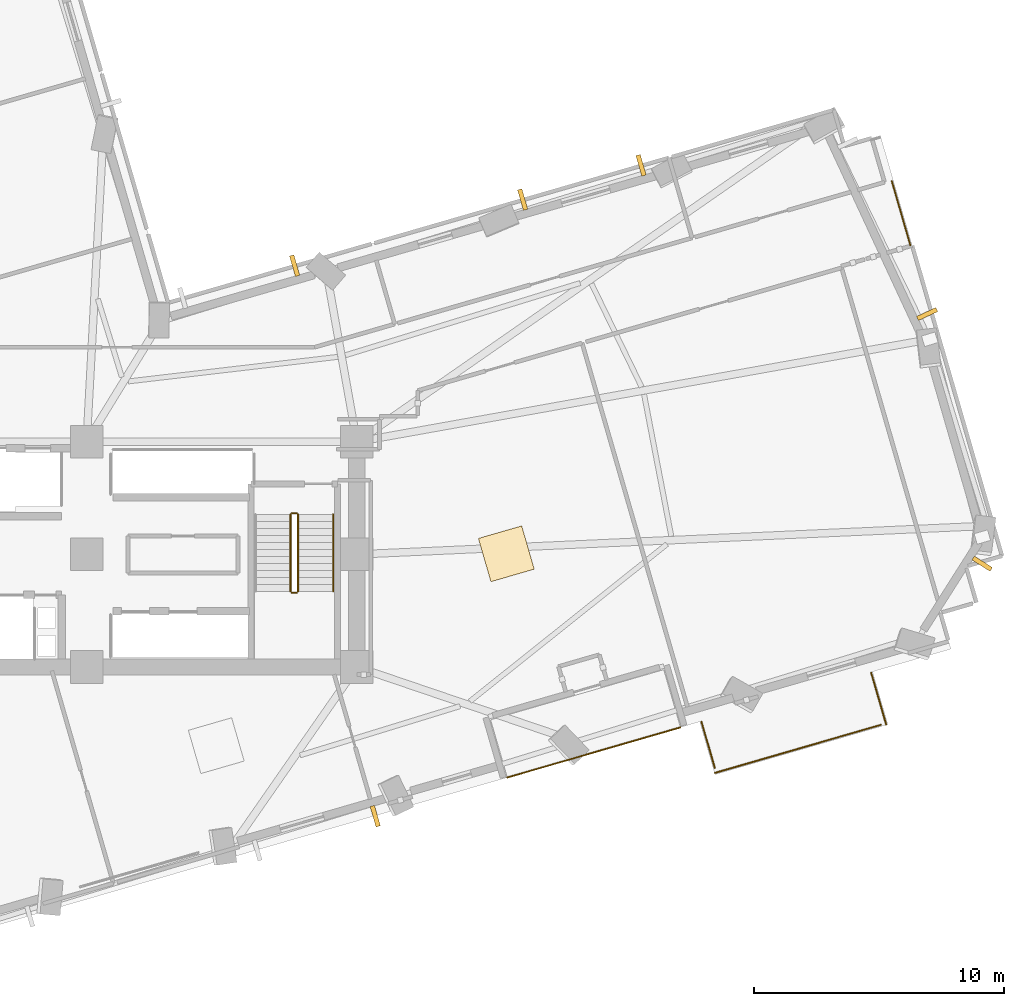
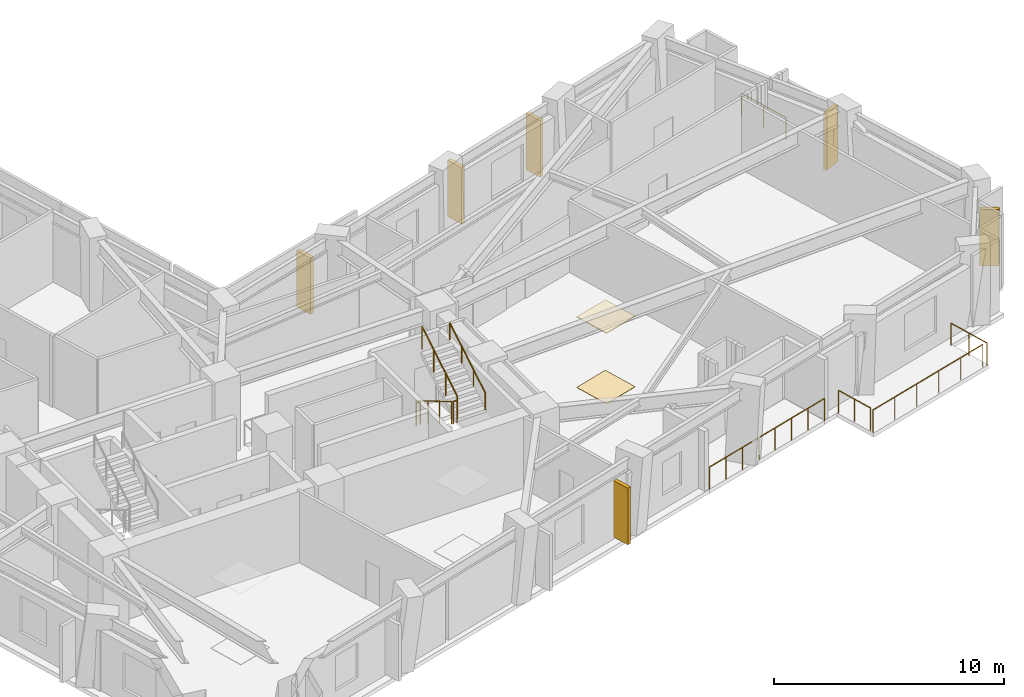
# One storey, part 13 of 15: 10 railings, 6 shading devices, 2 coverings.
"""IFC4 building model written with IfcOpenShell, lengths in metres."""

from ifc_helpers import new_model, si_unit, direction, frame, origin, origin_2d, place, context, subcontext, project, spatial, rectangle, circle, extrude, material, layer, layer_set, type_object, element, save


model = new_model("IFC4")

# Units and contexts
model_context = context("Model", 3, precision=1e-05, world=origin(), true_north=direction((0.0, 1.0)))
body_context = subcontext(model_context, "Body", "Model", "MODEL_VIEW")
ifc_project = project(units=[si_unit("LENGTHUNIT", "METRE"), si_unit("AREAUNIT", "SQUARE_METRE"), si_unit("VOLUMEUNIT", "CUBIC_METRE"), si_unit("PLANEANGLEUNIT", "RADIAN"), si_unit("MASSUNIT", "GRAM", prefix="KILO")], contexts=[model_context])

# Site, building, storey
site_placement = place(None, origin())
site = spatial("IfcSite", under=ifc_project, at=site_placement, CompositionType="ELEMENT")
building_placement = place(site_placement, origin())
building = spatial("IfcBuilding", under=site, at=building_placement, Name="Gaonmaruhae Medical Tower", CompositionType="ELEMENT")
storey_placement = place(building_placement, frame((0.0, 0.0, 92.39990234375)))
storey = spatial("IfcBuildingStorey", under=building, at=storey_placement, Name="L21", CompositionType="ELEMENT", Elevation=92.39990234375)

# Coverings
ifc_material_1 = material(Name="Acoustic mineral ceiling tile", Category="finish")
ifc_layer_1 = layer(ifc_material_1, 0.02490234375)
ifc_layer_set_1 = layer_set([ifc_layer_1], Name="Acoustic mineral ceiling tile")
covering_type_1 = type_object("IfcCoveringType", Name="CLG-01 Antimicrobial Acoustic Mineral Ceiling", PredefinedType="CEILING", material=ifc_layer_set_1)
covering_1_placement = place(storey_placement, frame((41.572509765625, 12.324951171875, 3.735107421875), z_axis=(0.0, 0.0, 1.0), x_axis=(0.960536785663, 0.278152985584, 0.0)))
element("IfcCovering", 1, at=covering_1_placement, inside=storey, type_object=covering_type_1, Name="L21 Clinical Room Acoustic Ceiling 4", PredefinedType="CEILING", context=body_context, shape_type="SweptSolid", body=[
    extrude(rectangle(XDim=1.800048828125, YDim=1.800048828125, at=origin_2d()), origin(), (0.0, 0.0, 1.0), 0.02490234375),
])
ifc_material_2 = material(Name="Seamless clinical vinyl flooring", Category="finish")
ifc_layer_2 = layer(ifc_material_2, 0.014892578125)
ifc_layer_set_2 = layer_set([ifc_layer_2], Name="Seamless clinical vinyl flooring")
covering_type_2 = type_object("IfcCoveringType", Name="FLR-01 Seamless Clinical Antistatic Vinyl Flooring", PredefinedType="FLOORING", material=ifc_layer_set_2)
covering_2_placement = place(storey_placement, frame((41.572509765625, 12.324951171875, 0.0), z_axis=(0.0, 0.0, 1.0), x_axis=(0.960536785663, 0.278152985584, 0.0)))
element("IfcCovering", 2, at=covering_2_placement, inside=storey, type_object=covering_type_2, Name="L21 Clinical Room Vinyl Flooring 4", PredefinedType="FLOORING", context=body_context, shape_type="SweptSolid", body=[
    extrude(rectangle(XDim=1.800048828125, YDim=1.800048828125, at=origin_2d()), origin(), (0.0, 0.0, 1.0), 0.014892578125),
])

# Railings
ifc_material_3 = material(Name="Stainless steel 316L and laminated safety glass", Category="steel")
ifc_layer_3 = layer(ifc_material_3, 0.080078125)
ifc_layer_set_3 = layer_set([ifc_layer_3], Name="Stainless steel 316L and laminated safety glass")
railing_type_1 = type_object("IfcRailingType", Name="GD-120 Outdoor Terrace Safety Glass & Steel Balustrade", PredefinedType="BALUSTRADE", material=ifc_layer_set_3)
railing_1_placement = place(storey_placement, frame((41.614990234375, 3.38427734375, 0.0)))
element("IfcRailing", 3, at=railing_1_placement, inside=storey, type_object=railing_type_1, Name="L21 Terrace Safety Guard RL-SLB-L21-TER-01", PredefinedType="BALUSTRADE", context=body_context, shape_type="SweptSolid", body=[
    extrude(circle(Radius=0.02392578125, at=origin_2d()), frame((0.0, 0.0, 1.17578125), z_axis=(0.960538997545, 0.278145347249, 0.0), x_axis=(-0.278145347249, 0.960538997545, 0.0)), (0.0, 0.0, 1.0), 7.2001953125),
    extrude(circle(Radius=0.02099609375, at=origin_2d()), origin(), (0.0, 0.0, 1.0), 1.15185546875),
    extrude(circle(Radius=0.02099609375, at=origin_2d()), frame((0.988037109375, 0.2861328125, 0.0)), (0.0, 0.0, 1.0), 1.15185546875),
    extrude(circle(Radius=0.02099609375, at=origin_2d()), frame((1.97607421875, 0.572265625, 0.0)), (0.0, 0.0, 1.0), 1.15185546875),
    extrude(circle(Radius=0.02099609375, at=origin_2d()), frame((2.964111328125, 0.8583984375, 0.0)), (0.0, 0.0, 1.0), 1.15185546875),
    extrude(circle(Radius=0.02099609375, at=origin_2d()), frame((3.951904296875, 1.144287109375, 0.0)), (0.0, 0.0, 1.0), 1.15185546875),
    extrude(circle(Radius=0.02099609375, at=origin_2d()), frame((4.93994140625, 1.430419921875, 0.0)), (0.0, 0.0, 1.0), 1.15185546875),
    extrude(circle(Radius=0.02099609375, at=origin_2d()), frame((5.927978515625, 1.716552734375, 0.0)), (0.0, 0.0, 1.0), 1.15185546875),
    extrude(circle(Radius=0.02099609375, at=origin_2d()), frame((6.916015625, 2.002685546875, 0.0)), (0.0, 0.0, 1.0), 1.15185546875),
])
railing_2_placement = place(storey_placement, frame((56.981201171875, 27.214599609375, 0.0)))
element("IfcRailing", 4, at=railing_2_placement, inside=storey, type_object=railing_type_1, Name="L21 Perimeter Slab Edge Safety Balustrade 02", PredefinedType="BALUSTRADE", context=body_context, shape_type="SweptSolid", body=[
    extrude(circle(Radius=0.02392578125, at=origin_2d()), frame((0.0, 0.0, 1.17578125), z_axis=(0.278089275267, -0.960555232655, 0.0), x_axis=(0.960555232655, 0.278089275267, 0.0)), (0.0, 0.0, 1.0), 2.66015625),
    extrude(circle(Radius=0.02099609375, at=origin_2d()), origin(), (0.0, 0.0, 1.0), 1.15185546875),
    extrude(circle(Radius=0.02099609375, at=origin_2d()), frame((0.369873046875, -1.277587890625, 0.0)), (0.0, 0.0, 1.0), 1.15185546875),
    extrude(circle(Radius=0.02099609375, at=origin_2d()), frame((0.73974609375, -2.55517578125, 0.0)), (0.0, 0.0, 1.0), 1.15185546875),
])
railing_3_placement = place(storey_placement, frame((56.153564453125, 7.573486328125, 0.0)))
element("IfcRailing", 5, at=railing_3_placement, inside=storey, type_object=railing_type_1, Name="L21 Perimeter Slab Edge Safety Balustrade 03", PredefinedType="BALUSTRADE", context=body_context, shape_type="SweptSolid", body=[
    extrude(circle(Radius=0.02392578125, at=origin_2d()), frame((0.0, 0.0, 1.17578125), z_axis=(0.278167855066, -0.960532479622, 0.0), x_axis=(0.960532479622, 0.278167855066, 0.0)), (0.0, 0.0, 1.0), 2.159912109375),
    extrude(circle(Radius=0.02099609375, at=origin_2d()), origin(), (0.0, 0.0, 1.0), 1.15185546875),
    extrude(circle(Radius=0.02099609375, at=origin_2d()), frame((0.30029296875, -1.037353515625, 0.0)), (0.0, 0.0, 1.0), 1.15185546875),
    extrude(circle(Radius=0.02099609375, at=origin_2d()), frame((0.600830078125, -2.07470703125, 0.0)), (0.0, 0.0, 1.0), 1.15185546875),
])
railing_4_placement = place(storey_placement, frame((56.538818359375, 5.48828125, 0.0)))
element("IfcRailing", 6, at=railing_4_placement, inside=storey, type_object=railing_type_1, Name="L21 Perimeter Slab Edge Safety Balustrade 04", PredefinedType="BALUSTRADE", context=body_context, shape_type="SweptSolid", body=[
    extrude(circle(Radius=0.02392578125, at=origin_2d()), frame((0.0, 0.0, 1.17578125), z_axis=(-0.960539142039, -0.278144848255, 0.0), x_axis=(0.278144848255, -0.960539142039, 0.0)), (0.0, 0.0, 1.0), 6.89990234375),
    extrude(circle(Radius=0.02099609375, at=origin_2d()), origin(), (0.0, 0.0, 1.0), 1.15185546875),
    extrude(circle(Radius=0.02099609375, at=origin_2d()), frame((-1.325439453125, -0.3837890625, 0.0)), (0.0, 0.0, 1.0), 1.15185546875),
    extrude(circle(Radius=0.02099609375, at=origin_2d()), frame((-2.651123046875, -0.767578125, 0.0)), (0.0, 0.0, 1.0), 1.15185546875),
    extrude(circle(Radius=0.02099609375, at=origin_2d()), frame((-3.9765625, -1.151611328125, 0.0)), (0.0, 0.0, 1.0), 1.15185546875),
    extrude(circle(Radius=0.02099609375, at=origin_2d()), frame((-5.30224609375, -1.535400390625, 0.0)), (0.0, 0.0, 1.0), 1.15185546875),
    extrude(circle(Radius=0.02099609375, at=origin_2d()), frame((-6.627685546875, -1.919189453125, 0.0)), (0.0, 0.0, 1.0), 1.15185546875),
])
railing_5_placement = place(storey_placement, frame((49.90673828125, 3.763916015625, 0.0)))
element("IfcRailing", 7, at=railing_5_placement, inside=storey, type_object=railing_type_1, Name="L21 Perimeter Slab Edge Safety Balustrade 05", PredefinedType="BALUSTRADE", context=body_context, shape_type="SweptSolid", body=[
    extrude(circle(Radius=0.02392578125, at=origin_2d()), frame((0.0, 0.0, 1.17578125), z_axis=(-0.278092007995, 0.960554441502, 0.0), x_axis=(-0.960554441502, -0.278092007995, 0.0)), (0.0, 0.0, 1.0), 1.921630859375),
    extrude(circle(Radius=0.02099609375, at=origin_2d()), origin(), (0.0, 0.0, 1.0), 1.15185546875),
    extrude(circle(Radius=0.02099609375, at=origin_2d()), frame((-0.26708984375, 0.9228515625, 0.0)), (0.0, 0.0, 1.0), 1.15185546875),
    extrude(circle(Radius=0.02099609375, at=origin_2d()), frame((-0.534423828125, 1.845947265625, 0.0)), (0.0, 0.0, 1.0), 1.15185546875),
])
ifc_material_4 = material(Name="Stainless steel 304 handrail", Category="steel")
railing_type_2 = type_object("IfcRailingType", Name="HR-092 Continuous Stainless Steel Stair Handrail", PredefinedType="HANDRAIL", material=ifc_material_4)
railing_6_placement = place(storey_placement, frame((34.64990234375, 10.820068359375, 2.166748046875)))
element("IfcRailing", 8, at=railing_6_placement, inside=storey, type_object=railing_type_2, Name="L21 ST-02 stair handrail 2", PredefinedType="HANDRAIL", context=body_context, shape_type="SweptSolid", body=[
    extrude(circle(Radius=0.02392578125, at=origin_2d()), frame((0.0, 0.0, 0.8759765625), z_axis=(0.0, 0.859290745958, 0.51148745235), x_axis=(-1.0, 0.0, 0.0)), (0.0, 0.0, 1.0), 3.584228515625),
    extrude(circle(Radius=0.02099609375, at=origin_2d()), origin(), (0.0, 0.0, 1.0), 0.851806640625),
    extrude(circle(Radius=0.02099609375, at=origin_2d()), frame((0.0, 1.026611328125, 0.611083984375)), (0.0, 0.0, 1.0), 0.851806640625),
    extrude(circle(Radius=0.02099609375, at=origin_2d()), frame((0.0, 2.05322265625, 1.22216796875)), (0.0, 0.0, 1.0), 0.851806640625),
    extrude(circle(Radius=0.02099609375, at=origin_2d()), frame((0.0, 3.079833984375, 1.833251953125)), (0.0, 0.0, 1.0), 0.851806640625),
])

# Shading devices
ifc_material_5 = material(Name="Pigmented coral precast concrete C45/55", Category="concrete")
shading_device_type = type_object("IfcShadingDeviceType", Name="SD-FIN1 Tower Vertical Coral Precast Shading Fin", PredefinedType="USERDEFINED", material=ifc_material_5)
for number, where, z_axis, x_axis, name in (
    (9, (36.33349609375, 1.839111328125, 0.08251953125), (0.0, 0.0, 1.0), (-0.960536785663, -0.278152985584, 0.0), "L21 Vertical Coral Precast Shading Fin S03"),
    (10, (60.59228515625, 11.928466796875, 0.08251953125), (0.0, 0.0, 1.0), (-0.535856267257, -0.844309221104, 0.0), "L21 Vertical Coral Precast Shading Fin S07"),
    (11, (58.391845703125, 21.907470703125, 0.08251953125), (0.0, 0.0, 1.0), (0.421668946893, -0.906749854826, 0.0), "L21 Vertical Coral Precast Shading Fin E02B"),
    (12, (42.225830078125, 26.480712890625, 0.08251953125), (0.0, 0.0, 1.0), (0.960536785663, 0.278152985584, 0.0), "L21 Vertical Coral Precast Shading Fin EN01"),
    (13, (46.9580078125, 27.850830078125, 0.08251953125), (0.0, 0.0, 1.0), (0.960536785663, 0.278152985584, 0.0), "L21 Vertical Coral Precast Shading Fin EN01B"),
    (14, (33.1123046875, 23.841552734375, 0.08251953125), (0.0, 0.0, 1.0), (0.960536785663, 0.278152985584, 0.0), "L21 Vertical Coral Precast Shading Fin EN03B"),
):
    element("IfcShadingDevice", number, at=place(storey_placement, frame(where, z_axis=z_axis, x_axis=x_axis)), inside=storey, type_object=shading_device_type, Name=name, ObjectType="FIN", PredefinedType="USERDEFINED", context=body_context, shape_type="SweptSolid", body=[
        extrude(rectangle(XDim=0.179931640625, YDim=0.85009765625, at=origin_2d()), origin(), (0.0, 0.0, 1.0), 3.0),
    ])

# Railings
ifc_material_6 = material(Name="Stainless steel 304 balustrade", Category="steel")
railing_type_3 = type_object("IfcRailingType", Name="SG-112 Stair Well & Ramp Void Safety Balustrade", PredefinedType="BALUSTRADE", material=ifc_material_6)
railing_7_placement = place(storey_placement, frame((32.949951171875, 13.89990234375, 0.166748046875)))
element("IfcRailing", 15, at=railing_7_placement, inside=storey, type_object=railing_type_3, Name="L21 ST-02 stair guard 1", PredefinedType="BALUSTRADE", context=body_context, shape_type="SweptSolid", body=[
    extrude(circle(Radius=0.02392578125, at=origin_2d()), frame((0.0, 0.0, 1.17578125), z_axis=(0.0, -0.859290745958, 0.51148745235), x_axis=(1.0, 0.0, 0.0)), (0.0, 0.0, 1.0), 3.584228515625),
    extrude(circle(Radius=0.02099609375, at=origin_2d()), origin(), (0.0, 0.0, 1.0), 1.15185546875),
    extrude(circle(Radius=0.02099609375, at=origin_2d()), frame((0.0, -1.026611328125, 0.611083984375)), (0.0, 0.0, 1.0), 1.15185546875),
    extrude(circle(Radius=0.02099609375, at=origin_2d()), frame((0.0, -2.05322265625, 1.22216796875)), (0.0, 0.0, 1.0), 1.15185546875),
    extrude(circle(Radius=0.02099609375, at=origin_2d()), frame((0.0, -3.079833984375, 1.833251953125)), (0.0, 0.0, 1.0), 1.15185546875),
])
railing_8_placement = place(storey_placement, frame((33.0, 10.77001953125, 2.0)))
element("IfcRailing", 16, at=railing_8_placement, inside=storey, type_object=railing_type_3, Name="L21 ST-02 stair guard 2", PredefinedType="BALUSTRADE", context=body_context, shape_type="SweptSolid", body=[
    extrude(circle(Radius=0.02392578125, at=origin_2d()), frame((0.0, 0.0, 1.17578125), z_axis=(1.0, 0.0, 0.0), x_axis=(0.0, 1.0, 0.0)), (0.0, 0.0, 1.0), 0.199951171875),
    extrude(circle(Radius=0.02099609375, at=origin_2d()), origin(), (0.0, 0.0, 1.0), 1.15185546875),
    extrude(circle(Radius=0.02099609375, at=origin_2d()), frame((0.199951171875, 0.0, 0.0)), (0.0, 0.0, 1.0), 1.15185546875),
])
railing_9_placement = place(storey_placement, frame((33.25, 10.820068359375, 2.166748046875)))
element("IfcRailing", 17, at=railing_9_placement, inside=storey, type_object=railing_type_3, Name="L21 ST-02 stair guard 3", PredefinedType="BALUSTRADE", context=body_context, shape_type="SweptSolid", body=[
    extrude(circle(Radius=0.02392578125, at=origin_2d()), frame((0.0, 0.0, 1.17578125), z_axis=(0.0, 0.859290745958, 0.51148745235), x_axis=(-1.0, 0.0, 0.0)), (0.0, 0.0, 1.0), 3.584228515625),
    extrude(circle(Radius=0.02099609375, at=origin_2d()), origin(), (0.0, 0.0, 1.0), 1.15185546875),
    extrude(circle(Radius=0.02099609375, at=origin_2d()), frame((0.0, 1.026611328125, 0.611083984375)), (0.0, 0.0, 1.0), 1.15185546875),
    extrude(circle(Radius=0.02099609375, at=origin_2d()), frame((0.0, 2.05322265625, 1.22216796875)), (0.0, 0.0, 1.0), 1.15185546875),
    extrude(circle(Radius=0.02099609375, at=origin_2d()), frame((0.0, 3.079833984375, 1.833251953125)), (0.0, 0.0, 1.0), 1.15185546875),
])
railing_10_placement = place(storey_placement, frame((33.0, 13.949951171875, 0.0)))
element("IfcRailing", 18, at=railing_10_placement, inside=storey, type_object=railing_type_3, Name="L21 ST-02 stair guard 4", PredefinedType="BALUSTRADE", context=body_context, shape_type="SweptSolid", body=[
    extrude(circle(Radius=0.02392578125, at=origin_2d()), frame((0.0, 0.0, 1.17578125), z_axis=(1.0, 0.0, 0.0), x_axis=(0.0, 1.0, 0.0)), (0.0, 0.0, 1.0), 0.199951171875),
    extrude(circle(Radius=0.02099609375, at=origin_2d()), origin(), (0.0, 0.0, 1.0), 1.15185546875),
    extrude(circle(Radius=0.02099609375, at=origin_2d()), frame((0.199951171875, 0.0, 0.0)), (0.0, 0.0, 1.0), 1.15185546875),
])

save(model, "model.ifc")
